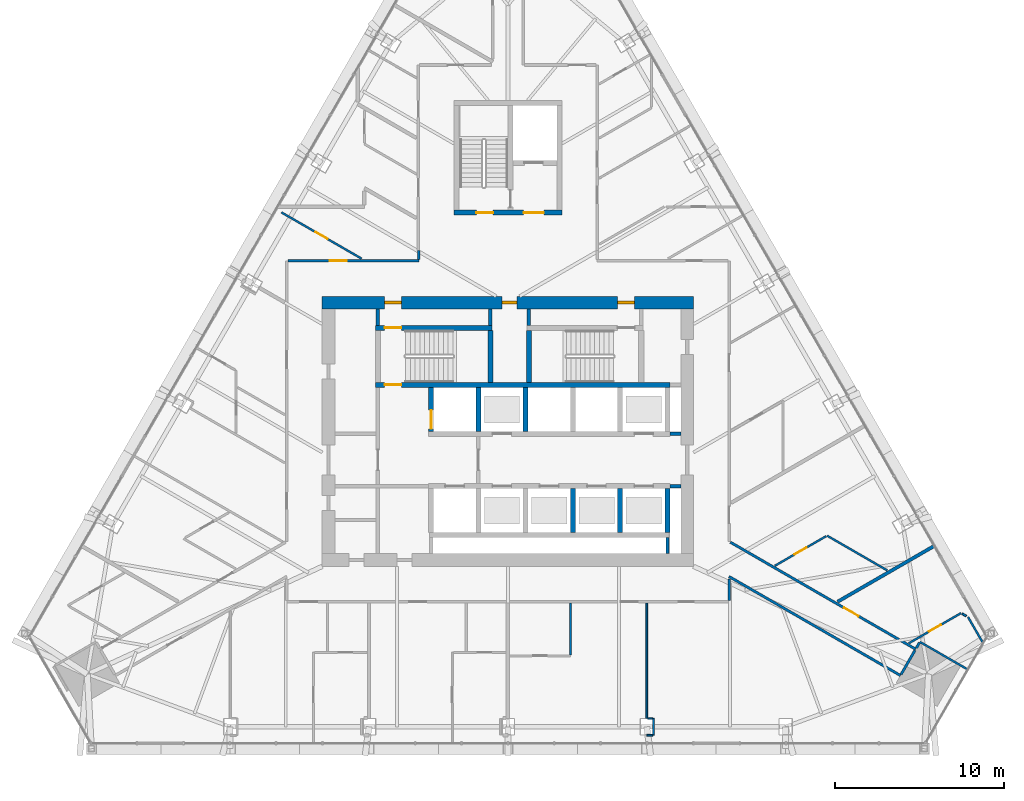
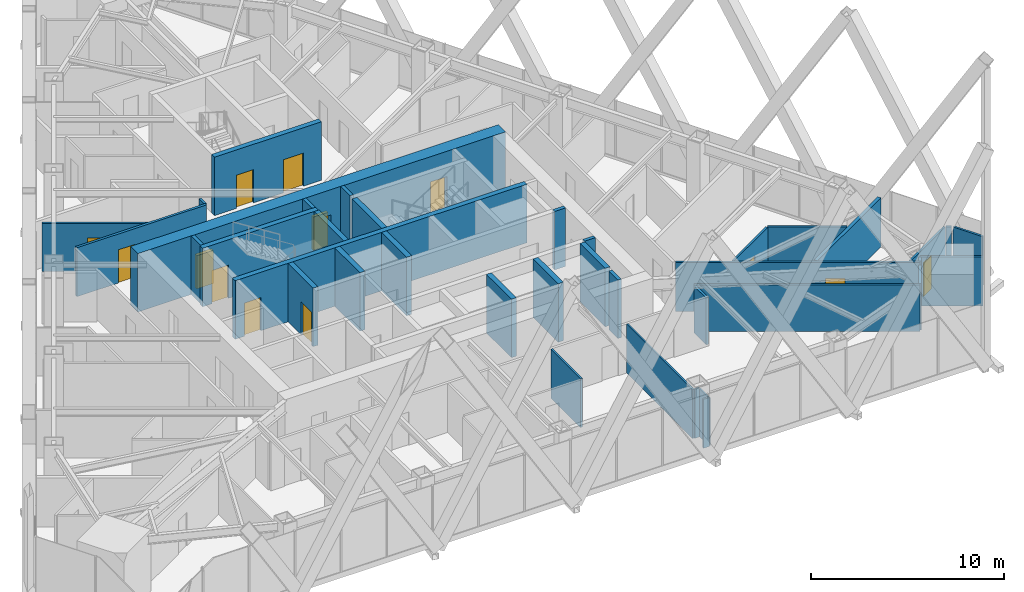
# One storey, part 15 of 19: 38 walls, 13 doors, 13 openings.
"""IFC4 building model written with IfcOpenShell, lengths in metres."""

import ifcopenshell
import ifcopenshell.guid

model = None  # the IFC model being written
_history = None  # IfcOwnerHistory: only IFC2X3 demands one
_inside = {}  # id of a spatial element -> (the spatial element, [elements in it])
_under = {}  # id of a project, library or spatial element -> (it, [spatial elements below it])
_declared = {}  # id of a project -> (the project, [libraries it declares])
_typed = {}  # id of a type object -> (the type object, [elements of that type])
_made_of = {}  # id of a material, layer set ... -> (it, [elements and type objects made of it])


def new_model(schema):
    """Start an empty IFC model of exactly this schema.

    Asked for "IFC4X3", IfcOpenShell would pick the latest addendum, in which some entities
    have other attributes; the version numbers below select the first issue.
    IFC2X3 requires an IfcOwnerHistory on every rooted entity: one is made here for all.
    """
    global model, _history
    if schema == "IFC4X3":
        model = ifcopenshell.file(schema_version=(4, 3, 0, 0))
    else:
        model = ifcopenshell.file(schema=schema)
    _inside.clear()
    _under.clear()
    _declared.clear()
    _typed.clear()
    _made_of.clear()
    _history = None
    if model.schema == "IFC2X3":
        org = make("IfcOrganization", Name="unknown")
        user = make(
            "IfcPersonAndOrganization",
            ThePerson=make("IfcPerson", FamilyName="unknown"),
            TheOrganization=org,
        )
        app = make(
            "IfcApplication",
            ApplicationDeveloper=org,
            Version="unknown",
            ApplicationFullName="unknown",
            ApplicationIdentifier="unknown",
        )
        _history = make(
            "IfcOwnerHistory",
            OwningUser=user,
            OwningApplication=app,
            ChangeAction="ADDED",
            CreationDate=0,
        )
    return model


def make(cls, **values):
    """One entity of the class cls with the attributes given. An attribute that is None is left unset."""
    return model.create_entity(
        cls, **{name: value for name, value in values.items() if value is not None}
    )


def rooted(cls, **values):
    """An entity with a GlobalId (a new one), such as an element, a storey or a relation."""
    return make(cls, GlobalId=ifcopenshell.guid.new(), OwnerHistory=_history, **values)


def si_unit(unit_type, name, prefix=None):
    """IfcSIUnit, for example si_unit("LENGTHUNIT", "METRE", prefix="MILLI")."""
    return make("IfcSIUnit", UnitType=unit_type, Prefix=prefix, Name=name)


def assignment(units):
    """IfcUnitAssignment: the units of a project."""
    return None if units is None else make("IfcUnitAssignment", Units=units)


def point(xyz):
    """IfcCartesianPoint."""
    return None if xyz is None else make("IfcCartesianPoint", Coordinates=xyz)


def direction(xyz):
    """IfcDirection."""
    return None if xyz is None else make("IfcDirection", DirectionRatios=xyz)


def frame(location, z_axis=None, x_axis=None):
    """IfcAxis2Placement3D, a coordinate frame: its origin and axes. An axis left out is left unset."""
    return make(
        "IfcAxis2Placement3D",
        Location=point(location),
        Axis=direction(z_axis),
        RefDirection=direction(x_axis),
    )


def frame_2d(location, x_axis=None):
    """IfcAxis2Placement2D, a coordinate frame in the plane: its origin and x axis."""
    return make(
        "IfcAxis2Placement2D", Location=point(location), RefDirection=direction(x_axis)
    )


def origin():
    """The frame at (0, 0, 0) with its axes left unset."""
    return frame((0.0, 0.0, 0.0))


def place(relative_to, where):
    """IfcLocalPlacement: puts the frame where relative to a parent placement (None: the world)."""
    return make(
        "IfcLocalPlacement", PlacementRelTo=relative_to, RelativePlacement=where
    )


def context(
    kind, dimensions, precision=None, world=None, true_north=None, identifier=None
):
    """IfcGeometricRepresentationContext, for example the 3D "Model" context."""
    return make(
        "IfcGeometricRepresentationContext",
        ContextIdentifier=identifier,
        ContextType=kind,
        CoordinateSpaceDimension=dimensions,
        Precision=precision,
        WorldCoordinateSystem=world,
        TrueNorth=true_north,
    )


def subcontext(parent, identifier, kind, view, scale=None):
    """IfcGeometricRepresentationSubContext, for example "Body" below "Model"."""
    return make(
        "IfcGeometricRepresentationSubContext",
        ContextIdentifier=identifier,
        ContextType=kind,
        ParentContext=parent,
        TargetScale=scale,
        TargetView=view,
    )


def project(units=None, contexts=None):
    """IfcProject with its units and contexts."""
    return rooted(
        "IfcProject",
        Name="project",
        RepresentationContexts=contexts,
        UnitsInContext=assignment(units),
    )


def spatial(cls, under=None, at=None, **own):
    """A site, building, storey or space (cls), placed at a placement, below another one or the project."""
    s = rooted(cls, ObjectPlacement=at, **own)
    if under is not None:
        _under.setdefault(under.id(), (under, []))[1].append(s)
    return s


def profile(cls, at=None, kind="AREA", **sizes):
    """A parametric profile (cls). Its sizes go by their IFC names, for example OverallWidth=200.0."""
    return make(cls, ProfileType=kind, Position=at, **sizes)


def rectangle(**sizes):
    """IfcRectangleProfileDef."""
    return profile("IfcRectangleProfileDef", **sizes)


def extrude(swept, where, along, depth):
    """IfcExtrudedAreaSolid: the profile swept, set in the frame where, extruded along a direction by depth."""
    return make(
        "IfcExtrudedAreaSolid",
        SweptArea=swept,
        Position=where,
        ExtrudedDirection=direction(along),
        Depth=depth,
    )


def shape(context_of_items, identifier, shape_type, items):
    """IfcShapeRepresentation: the items that make up one representation, for example the "Body"."""
    return make(
        "IfcShapeRepresentation",
        ContextOfItems=context_of_items,
        RepresentationIdentifier=identifier,
        RepresentationType=shape_type,
        Items=items,
    )


def material(Name=None, Category=None):
    """IfcMaterial."""
    return make("IfcMaterial", Name=Name, Category=Category)


def layer(
    of_material, thickness, ventilated=None, Name=None, Category=None, Priority=None
):
    """IfcMaterialLayer: one layer of a wall or slab, of a material (None: an air gap)."""
    return make(
        "IfcMaterialLayer",
        Material=of_material,
        LayerThickness=thickness,
        IsVentilated=ventilated,
        Name=Name,
        Category=Category,
        Priority=Priority,
    )


def layer_set(layers, Name=None):
    """IfcMaterialLayerSet."""
    return make("IfcMaterialLayerSet", MaterialLayers=layers, LayerSetName=Name)


def made_of(thing, what):
    """Note that an element or type object is made of a material, layer set ...; save() writes the relation."""
    if what is not None:
        _made_of.setdefault(what.id(), (what, []))[1].append(thing)
    return thing


def type_object(cls, material=None, **own):
    """A type object (cls), such as IfcWallType, which elements share."""
    return made_of(rooted(cls, **own), material)


def element(
    cls,
    number,
    at=None,
    inside=None,
    cuts=None,
    type_object=None,
    material=None,
    context=None,
    identifier="Body",
    shape_type=None,
    held_by="IfcProductDefinitionShape",
    body=None,
    shapes=None,
    **own,
):
    """One element of the class cls, such as IfcWall. Its Tag is "e" and its number.

    at: its placement. inside: the storey or other place that contains it. cuts: it is an
    opening in that element (IfcRelVoidsElement). A single representation is given by context,
    identifier, shape_type and body (its items); several are given by shapes. held_by: the class
    of the entity that holds the representations. save() writes the other relations.
    """
    e = rooted(cls, Tag="e%d" % number, ObjectPlacement=at, **own)
    if body is not None:
        shapes = [shape(context, identifier, shape_type, body)]
    if shapes is not None:
        e.Representation = make(held_by, Representations=shapes)
    if inside is not None:
        _inside.setdefault(inside.id(), (inside, []))[1].append(e)
    if cuts is not None:
        rooted(
            "IfcRelVoidsElement", RelatingBuildingElement=cuts, RelatedOpeningElement=e
        )
    if type_object is not None:
        _typed.setdefault(type_object.id(), (type_object, []))[1].append(e)
    return made_of(e, material)


def fill(opening, filler):
    """IfcRelFillsElement: the door or window that sits in an opening."""
    return rooted(
        "IfcRelFillsElement",
        RelatingOpeningElement=opening,
        RelatedBuildingElement=filler,
    )


def aggregate(whole, parts):
    """IfcRelAggregates: a whole, such as a stair, and the parts it consists of."""
    return rooted("IfcRelAggregates", RelatingObject=whole, RelatedObjects=parts)


def save(model, path):
    """Write the relations noted so far, then the file.

    IfcRelAggregates (storeys below a building ...), IfcRelContainedInSpatialStructure (elements
    in a storey), IfcRelDefinesByType, IfcRelAssociatesMaterial and IfcRelDeclares: one each for
    every whole, place, type object, material and project.
    """
    for whole, parts in _under.values():
        aggregate(whole, parts)
    for where, things in _inside.values():
        rooted(
            "IfcRelContainedInSpatialStructure",
            RelatedElements=things,
            RelatingStructure=where,
        )
    for kind, things in _typed.values():
        rooted("IfcRelDefinesByType", RelatedObjects=things, RelatingType=kind)
    for what, things in _made_of.values():
        rooted("IfcRelAssociatesMaterial", RelatedObjects=things, RelatingMaterial=what)
    for by, libraries in _declared.values():
        rooted("IfcRelDeclares", RelatingContext=by, RelatedDefinitions=libraries)
    model.write(path)


model = new_model("IFC4")

# Units and contexts
model_context = context("Model", 3, precision=1e-05, world=origin(), true_north=direction((0.0, 1.0)))
body_context = subcontext(model_context, "Body", "Model", "MODEL_VIEW")
ifc_project = project(units=[si_unit("LENGTHUNIT", "METRE"), si_unit("AREAUNIT", "SQUARE_METRE"), si_unit("VOLUMEUNIT", "CUBIC_METRE"), si_unit("PLANEANGLEUNIT", "RADIAN"), si_unit("MASSUNIT", "GRAM", prefix="KILO")], contexts=[model_context])

# Site, building, storey
site_placement = place(None, origin())
site = spatial("IfcSite", under=ifc_project, at=site_placement, CompositionType="ELEMENT")
building_placement = place(site_placement, origin())
building = spatial("IfcBuilding", under=site, at=building_placement, Name="Firuza Gate Tower and Library", CompositionType="ELEMENT")
storey_placement = place(building_placement, frame((0.0, 0.0, 233.800048828125)))
storey = spatial("IfcBuildingStorey", under=building, at=storey_placement, Name="L55", CompositionType="ELEMENT", Elevation=233.800048828125)

# Walls
ifc_material_1 = material(Name="Plasterboard on steel studs", Category="steel")
ifc_layer_1 = layer(ifc_material_1, 0.199951171875)
ifc_layer_set_1 = layer_set([ifc_layer_1], Name="Core partition 200 EI 120")
wall_type_1 = type_object("IfcWallType", Name="Core partition 200 EI 120", PredefinedType="PARTITIONING", material=ifc_layer_set_1)
for number, where, z_axis, x_axis, name in (
    (1, (84.60009765625, 71.75, 0.0), (0.0, 0.0, 1.0), (1.0, 0.0, 0.0), "Core partition L55 3"),
    (2, (84.60009765625, 74.85009765625, 0.0), (0.0, 0.0, 1.0), (1.0, 0.0, 0.0), "Core partition L55 5"),
):
    element("IfcWall", number, at=place(storey_placement, frame(where, z_axis=z_axis, x_axis=x_axis)), inside=storey, type_object=wall_type_1, Name=name, PredefinedType="PARTITIONING", context=body_context, shape_type="SweptSolid", body=[
        extrude(rectangle(XDim=0.64990234375, YDim=0.199951171875, at=frame_2d((0.324951171875, 0.0))), origin(), (0.0, 0.0, 1.0), 3.699951171875),
    ])
wall_1_placement = place(storey_placement, frame((67.300048828125, 81.280029296875, 0.0), z_axis=(0.0, 0.0, 1.0), x_axis=(0.0, 1.0, 0.0)))
element("IfcWall", 3, at=wall_1_placement, inside=storey, type_object=wall_type_1, Name="Core partition L55 9", PredefinedType="PARTITIONING", context=body_context, shape_type="SweptSolid", body=[
    extrude(rectangle(XDim=0.969970703125, YDim=0.199951171875, at=frame_2d((0.48486328125, 0.0))), origin(), (0.0, 0.0, 1.0), 3.699951171875),
])
wall_2_placement = place(storey_placement, frame((84.449951171875, 67.75, 0.0), z_axis=(0.0, 0.0, 1.0), x_axis=(0.0, 1.0, 0.0)))
element("IfcWall", 4, at=wall_2_placement, inside=storey, type_object=wall_type_1, Name="Core partition L55 15", PredefinedType="PARTITIONING", context=body_context, shape_type="SweptSolid", body=[
    extrude(rectangle(XDim=0.949951171875, YDim=0.199951171875, at=frame_2d((0.47509765625, 0.0))), origin(), (0.0, 0.0, 1.0), 3.699951171875),
])
ifc_material_2 = material(Name="Plasterboard on steel studs", Category="steel")
ifc_layer_2 = layer(ifc_material_2, 0.199951171875)
ifc_layer_set_2 = layer_set([ifc_layer_2], Name="Core partition 200 EI 60")
wall_type_2 = type_object("IfcWallType", Name="Core partition 200 EI 60", PredefinedType="PARTITIONING", material=ifc_layer_set_2)
for number, where, z_axis, x_axis, name in (
    (5, (73.9599609375, 81.280029296875, 0.0), (0.0, 0.0, 1.0), (0.0, 1.0, 0.0), "Core partition L55 12"),
    (6, (76.239990234375, 81.280029296875, 0.0), (0.0, 0.0, 1.0), (0.0, 1.0, 0.0), "Core partition L55 13"),
):
    element("IfcWall", number, at=place(storey_placement, frame(where, z_axis=z_axis, x_axis=x_axis)), inside=storey, type_object=wall_type_2, Name=name, PredefinedType="PARTITIONING", context=body_context, shape_type="SweptSolid", body=[
        extrude(rectangle(XDim=0.969970703125, YDim=0.199951171875, at=frame_2d((0.48486328125, 0.0))), origin(), (0.0, 0.0, 1.0), 3.699951171875),
    ])

# Wall, opening, door
ifc_material_3 = material(Name="Concrete C80/95", Category="concrete")
ifc_layer_3 = layer(ifc_material_3, 0.300048828125)
ifc_layer_set_3 = layer_set([ifc_layer_3], Name="Core wall 300 C80/95")
wall_type_3 = type_object("IfcWallType", Name="Core wall 300 C80/95", PredefinedType="SHEAR", material=ifc_layer_set_3)
wall_3_placement = place(storey_placement, frame((70.449951171875, 75.0, 0.0), z_axis=(0.0, 0.0, 1.0), x_axis=(0.0, 1.0, 0.0)))
wall_3 = element("IfcWall", 7, at=wall_3_placement, inside=storey, type_object=wall_type_3, Name="Core wall L55 9", PredefinedType="SHEAR", context=body_context, shape_type="SweptSolid", body=[
    extrude(rectangle(XDim=2.60009765625, YDim=0.300048828125, at=frame_2d((1.300048828125, 0.0))), origin(), (0.0, 0.0, 1.0), 3.699951171875),
])
opening_1_placement = place(wall_3_placement, frame((0.14990234375, 0.0, 0.0)))
opening_1 = element("IfcOpeningElement", 8, at=opening_1_placement, cuts=wall_3, Name="Opening LD-FF2-L55", PredefinedType="OPENING", context=body_context, shape_type="SweptSolid", body=[
    extrude(rectangle(XDim=1.10009765625, YDim=2.10009765625, at=frame_2d((0.550048828125, 1.050048828125))), frame((0.0, 0.16015625, 0.0), z_axis=(0.0, -1.0, 0.0), x_axis=(1.0, 0.0, 0.0)), (0.0, 0.0, 1.0), 0.320068359375),
])
ifc_material_4 = material(Name="Stainless steel", Category="steel")
door_type_1 = type_object("IfcDoorType", Name="Lift landing door 1100x2100", OperationType="DOUBLE_DOOR_SLIDING", PredefinedType="DOOR", material=ifc_material_4)
door_1_placement = place(opening_1_placement, origin())
door_1 = element("IfcDoor", 9, at=door_1_placement, inside=storey, type_object=door_type_1, Name="Landing door FF2 L55", OperationType="DOUBLE_DOOR_SLIDING", OverallHeight=2.10009765625, OverallWidth=1.10009765625, PredefinedType="DOOR", context=body_context, shape_type="SweptSolid", body=[
    extrude(rectangle(XDim=1.10009765625, YDim=2.10009765625, at=frame_2d((0.550048828125, 1.050048828125))), frame((0.0, 0.02490234375, 0.0), z_axis=(0.0, -1.0, 0.0), x_axis=(1.0, 0.0, 0.0)), (0.0, 0.0, 1.0), 0.050048828125),
])
fill(opening_1, door_1)

# Walls
for number, where, z_axis, x_axis, name in (
    (10, (73.25, 75.0, 0.0), (0.0, 0.0, 1.0), (0.0, 1.0, 0.0), "Core wall L55 11"),
    (11, (76.050048828125, 75.0, 0.0), (0.0, 0.0, 1.0), (0.0, 1.0, 0.0), "Core wall L55 13"),
    (12, (78.85009765625, 69.0, 0.0), (0.0, 0.0, 1.0), (0.0, 1.0, 0.0), "Core wall L55 14"),
    (13, (81.64990234375, 69.0, 0.0), (0.0, 0.0, 1.0), (0.0, 1.0, 0.0), "Core wall L55 16"),
    (14, (84.449951171875, 69.0, 0.0), (0.0, 0.0, 1.0), (0.0, 1.0, 0.0), "Core wall L55 18"),
):
    element("IfcWall", number, at=place(storey_placement, frame(where, z_axis=z_axis, x_axis=x_axis)), inside=storey, type_object=wall_type_3, Name=name, PredefinedType="SHEAR", context=body_context, shape_type="SweptSolid", body=[
        extrude(rectangle(XDim=2.60009765625, YDim=0.300048828125, at=frame_2d((1.300048828125, 0.0))), origin(), (0.0, 0.0, 1.0), 3.699951171875),
    ])

# Wall, opening, door
wall_4_placement = place(storey_placement, frame((67.14990234375, 77.75, 0.0), z_axis=(0.0, 0.0, 1.0), x_axis=(1.0, 0.0, 0.0)))
wall_4 = element("IfcWall", 15, at=wall_4_placement, inside=storey, type_object=wall_type_3, Name="Core wall L55 20", PredefinedType="SHEAR", context=body_context, shape_type="SweptSolid", body=[
    extrude(rectangle(XDim=17.4501953125, YDim=0.300048828125, at=frame_2d((8.72509765625, 0.0))), origin(), (0.0, 0.0, 1.0), 3.699951171875),
])
opening_2_placement = place(wall_4_placement, frame((0.544921875, 0.0, 0.0)))
opening_2 = element("IfcOpeningElement", 16, at=opening_2_placement, cuts=wall_4, Name="Opening L55-K10", PredefinedType="OPENING", context=body_context, shape_type="SweptSolid", body=[
    extrude(rectangle(XDim=1.0, YDim=2.10009765625, at=frame_2d((0.5, 1.050048828125))), frame((0.0, 0.16015625, 0.0), z_axis=(0.0, -1.0, 0.0), x_axis=(1.0, 0.0, 0.0)), (0.0, 0.0, 1.0), 0.320068359375),
])
ifc_material_5 = material(Name="Steel", Category="steel")
door_type_2 = type_object("IfcDoorType", Name="Fire door 1000x2100 FD90", OperationType="NOTDEFINED", PredefinedType="DOOR", material=ifc_material_5)
door_2_placement = place(opening_2_placement, origin())
door_2 = element("IfcDoor", 17, at=door_2_placement, inside=storey, type_object=door_type_2, Name="Door L55-K10", OperationType="SINGLE_SWING_LEFT", OverallHeight=2.10009765625, OverallWidth=1.0, PredefinedType="DOOR", context=body_context, shape_type="SweptSolid", body=[
    extrude(rectangle(XDim=1.0, YDim=2.10009765625, at=frame_2d((0.5, 1.050048828125))), frame((0.0, 0.02490234375, 0.0), z_axis=(0.0, -1.0, 0.0), x_axis=(1.0, 0.0, 0.0)), (0.0, 0.0, 1.0), 0.050048828125),
])
fill(opening_2, door_2)

wall_5_placement = place(storey_placement, frame((67.14990234375, 81.1298828125, 0.0), z_axis=(0.0, 0.0, 1.0), x_axis=(1.0, 0.0, 0.0)))
wall_5 = element("IfcWall", 18, at=wall_5_placement, inside=storey, type_object=wall_type_3, Name="Core wall L55 21", PredefinedType="SHEAR", context=body_context, shape_type="SweptSolid", body=[
    extrude(rectangle(XDim=6.91015625, YDim=0.300048828125, at=frame_2d((3.455078125, 0.0))), origin(), (0.0, 0.0, 1.0), 3.699951171875),
])
opening_3_placement = place(wall_5_placement, frame((0.544921875, 0.0, 0.0)))
opening_3 = element("IfcOpeningElement", 19, at=opening_3_placement, cuts=wall_5, Name="Opening L55-K11", PredefinedType="OPENING", context=body_context, shape_type="SweptSolid", body=[
    extrude(rectangle(XDim=1.0, YDim=2.10009765625, at=frame_2d((0.5, 1.050048828125))), frame((0.0, 0.16015625, 0.0), z_axis=(0.0, -1.0, 0.0), x_axis=(1.0, 0.0, 0.0)), (0.0, 0.0, 1.0), 0.320068359375),
])
door_3_placement = place(opening_3_placement, origin())
door_3 = element("IfcDoor", 20, at=door_3_placement, inside=storey, type_object=door_type_2, Name="Door L55-K11", OperationType="SINGLE_SWING_RIGHT", OverallHeight=2.10009765625, OverallWidth=1.0, PredefinedType="DOOR", context=body_context, shape_type="SweptSolid", body=[
    extrude(rectangle(XDim=1.0, YDim=2.10009765625, at=frame_2d((0.5, 1.050048828125))), frame((0.0, 0.02490234375, 0.0), z_axis=(0.0, -1.0, 0.0), x_axis=(1.0, 0.0, 0.0)), (0.0, 0.0, 1.0), 0.050048828125),
])
fill(opening_3, door_3)

# Walls
for number, where, z_axis, x_axis, name in (
    (21, (73.9599609375, 77.89990234375, 0.0), (0.0, 0.0, 1.0), (0.0, 1.0, 0.0), "Core wall L55 24"),
    (22, (76.239990234375, 77.89990234375, 0.0), (0.0, 0.0, 1.0), (0.0, 1.0, 0.0), "Core wall L55 25"),
):
    element("IfcWall", number, at=place(storey_placement, frame(where, z_axis=z_axis, x_axis=x_axis)), inside=storey, type_object=wall_type_3, Name=name, PredefinedType="SHEAR", context=body_context, shape_type="SweptSolid", body=[
        extrude(rectangle(XDim=3.080078125, YDim=0.300048828125, at=frame_2d((1.5400390625, 0.0))), origin(), (0.0, 0.0, 1.0), 3.699951171875),
    ])

# Wall, openings, doors
wall_6_placement = place(storey_placement, frame((71.800048828125, 87.949951171875, 0.0), z_axis=(0.0, 0.0, 1.0), x_axis=(1.0, 0.0, 0.0)))
wall_6 = element("IfcWall", 23, at=wall_6_placement, inside=storey, type_object=wall_type_3, Name="Core wall L55 27", PredefinedType="SHEAR", context=body_context, shape_type="SweptSolid", body=[
    extrude(rectangle(XDim=6.39990234375, YDim=0.300048828125, at=frame_2d((3.199951171875, 0.0))), origin(), (0.0, 0.0, 1.0), 3.699951171875),
])
opening_4_placement = place(wall_6_placement, frame((1.324951171875, 0.0, 0.0)))
opening_4 = element("IfcOpeningElement", 24, at=opening_4_placement, cuts=wall_6, Name="Opening L55-K15", PredefinedType="OPENING", context=body_context, shape_type="SweptSolid", body=[
    extrude(rectangle(XDim=1.0, YDim=2.10009765625, at=frame_2d((0.5, 1.050048828125))), frame((0.0, 0.16015625, 0.0), z_axis=(0.0, -1.0, 0.0), x_axis=(1.0, 0.0, 0.0)), (0.0, 0.0, 1.0), 0.320068359375),
])
opening_5_placement = place(wall_6_placement, frame((4.125, 0.0, 0.0)))
opening_5 = element("IfcOpeningElement", 25, at=opening_5_placement, cuts=wall_6, Name="Opening L55-K17", PredefinedType="OPENING", context=body_context, shape_type="SweptSolid", body=[
    extrude(rectangle(XDim=1.199951171875, YDim=2.10009765625, at=frame_2d((0.60009765625, 1.050048828125))), frame((0.0, 0.16015625, 0.0), z_axis=(0.0, -1.0, 0.0), x_axis=(1.0, 0.0, 0.0)), (0.0, 0.0, 1.0), 0.320068359375),
])
door_4_placement = place(opening_4_placement, origin())
door_4 = element("IfcDoor", 26, at=door_4_placement, inside=storey, type_object=door_type_2, Name="Door L55-K15", OperationType="SINGLE_SWING_RIGHT", OverallHeight=2.10009765625, OverallWidth=1.0, PredefinedType="DOOR", context=body_context, shape_type="SweptSolid", body=[
    extrude(rectangle(XDim=1.0, YDim=2.10009765625, at=frame_2d((0.5, 1.050048828125))), frame((0.0, 0.02490234375, 0.0), z_axis=(0.0, -1.0, 0.0), x_axis=(1.0, 0.0, 0.0)), (0.0, 0.0, 1.0), 0.050048828125),
])
fill(opening_4, door_4)
ifc_material_6 = material(Name="Steel", Category="steel")
door_type_3 = type_object("IfcDoorType", Name="Fire door 1200x2100 FD30S", OperationType="NOTDEFINED", PredefinedType="DOOR", material=ifc_material_6)
door_5_placement = place(opening_5_placement, origin())
door_5 = element("IfcDoor", 27, at=door_5_placement, inside=storey, type_object=door_type_3, Name="Door L55-K17", OperationType="SINGLE_SWING_RIGHT", OverallHeight=2.10009765625, OverallWidth=1.199951171875, PredefinedType="DOOR", context=body_context, shape_type="SweptSolid", body=[
    extrude(rectangle(XDim=1.199951171875, YDim=2.10009765625, at=frame_2d((0.60009765625, 1.050048828125))), frame((0.0, 0.02490234375, 0.0), z_axis=(0.0, -1.0, 0.0), x_axis=(1.0, 0.0, 0.0)), (0.0, 0.0, 1.0), 0.050048828125),
])
fill(opening_5, door_5)

ifc_material_7 = material(Name="Concrete C80/95", Category="concrete")
ifc_layer_4 = layer(ifc_material_7, 0.75)
ifc_layer_set_4 = layer_set([ifc_layer_4], Name="Core wall 750 C80/95")
wall_type_4 = type_object("IfcWallType", Name="Core wall 750 C80/95", PredefinedType="SHEAR", material=ifc_layer_set_4)
wall_7_placement = place(storey_placement, frame((64.0, 82.625, 0.0), z_axis=(0.0, 0.0, 1.0), x_axis=(1.0, 0.0, 0.0)))
wall_7 = element("IfcWall", 28, at=wall_7_placement, inside=storey, type_object=wall_type_4, Name="Core wall L55 2", PredefinedType="SHEAR", context=body_context, shape_type="SweptSolid", body=[
    extrude(rectangle(XDim=22.0, YDim=0.75, at=frame_2d((11.0, 0.0))), origin(), (0.0, 0.0, 1.0), 3.699951171875),
])
opening_6_placement = place(wall_7_placement, frame((3.695068359375, 0.0, 0.0)))
opening_6 = element("IfcOpeningElement", 29, at=opening_6_placement, cuts=wall_7, Name="Opening L55-K12", PredefinedType="OPENING", context=body_context, shape_type="SweptSolid", body=[
    extrude(rectangle(XDim=1.0, YDim=2.10009765625, at=frame_2d((0.5, 1.050048828125))), frame((0.0, 0.385009765625, 0.0), z_axis=(0.0, -1.0, 0.0), x_axis=(1.0, 0.0, 0.0)), (0.0, 0.0, 1.0), 0.77001953125),
])
opening_7_placement = place(wall_7_placement, frame((17.5048828125, 0.0, 0.0)))
opening_7 = element("IfcOpeningElement", 30, at=opening_7_placement, cuts=wall_7, Name="Opening L55-K14", PredefinedType="OPENING", context=body_context, shape_type="SweptSolid", body=[
    extrude(rectangle(XDim=1.0, YDim=2.10009765625, at=frame_2d((0.5, 1.050048828125))), frame((0.0, 0.385009765625, 0.0), z_axis=(0.0, -1.0, 0.0), x_axis=(1.0, 0.0, 0.0)), (0.0, 0.0, 1.0), 0.77001953125),
])
opening_8_placement = place(wall_7_placement, frame((10.64990234375, 0.0, 0.0)))
opening_8 = element("IfcOpeningElement", 31, at=opening_8_placement, cuts=wall_7, Name="Opening L55-K26", PredefinedType="OPENING", context=body_context, shape_type="SweptSolid", body=[
    extrude(rectangle(XDim=0.89990234375, YDim=2.10009765625, at=frame_2d((0.449951171875, 1.050048828125))), frame((0.0, 0.385009765625, 0.0), z_axis=(0.0, -1.0, 0.0), x_axis=(1.0, 0.0, 0.0)), (0.0, 0.0, 1.0), 0.77001953125),
])
door_6_placement = place(opening_6_placement, origin())
door_6 = element("IfcDoor", 32, at=door_6_placement, inside=storey, type_object=door_type_2, Name="Door L55-K12", OperationType="SINGLE_SWING_LEFT", OverallHeight=2.10009765625, OverallWidth=1.0, PredefinedType="DOOR", context=body_context, shape_type="SweptSolid", body=[
    extrude(rectangle(XDim=1.0, YDim=2.10009765625, at=frame_2d((0.5, 1.050048828125))), frame((0.0, 0.094970703125, 0.0), z_axis=(0.0, -1.0, 0.0), x_axis=(1.0, 0.0, 0.0)), (0.0, 0.0, 1.0), 0.18994140625),
])
fill(opening_6, door_6)
door_7_placement = place(opening_7_placement, origin())
door_7 = element("IfcDoor", 33, at=door_7_placement, inside=storey, type_object=door_type_2, Name="Door L55-K14", OperationType="SINGLE_SWING_LEFT", OverallHeight=2.10009765625, OverallWidth=1.0, PredefinedType="DOOR", context=body_context, shape_type="SweptSolid", body=[
    extrude(rectangle(XDim=1.0, YDim=2.10009765625, at=frame_2d((0.5, 1.050048828125))), frame((0.0, 0.094970703125, 0.0), z_axis=(0.0, -1.0, 0.0), x_axis=(1.0, 0.0, 0.0)), (0.0, 0.0, 1.0), 0.18994140625),
])
fill(opening_7, door_7)
ifc_material_8 = material(Name="Steel", Category="steel")
door_type_4 = type_object("IfcDoorType", Name="Fire door 900x2100 FD30S", OperationType="NOTDEFINED", PredefinedType="DOOR", material=ifc_material_8)
door_8_placement = place(opening_8_placement, origin())
door_8 = element("IfcDoor", 34, at=door_8_placement, inside=storey, type_object=door_type_4, Name="Door L55-K26", OperationType="SINGLE_SWING_LEFT", OverallHeight=2.10009765625, OverallWidth=0.89990234375, PredefinedType="DOOR", context=body_context, shape_type="SweptSolid", body=[
    extrude(rectangle(XDim=0.89990234375, YDim=2.10009765625, at=frame_2d((0.449951171875, 1.050048828125))), frame((0.0, 0.094970703125, 0.0), z_axis=(0.0, -1.0, 0.0), x_axis=(1.0, 0.0, 0.0)), (0.0, 0.0, 1.0), 0.18994140625),
])
fill(opening_8, door_8)

# Wall, opening, door
ifc_material_9 = material(Name="Gypsum board partition")
ifc_layer_5 = layer(ifc_material_9, 0.14990234375)
ifc_layer_set_5 = layer_set([ifc_layer_5], Name="Corridor wall 150 double board on steel studs")
wall_type_5 = type_object("IfcWallType", Name="Corridor wall 150 double board on steel studs", PredefinedType="PARTITIONING", material=ifc_layer_set_5)
wall_8_placement = place(storey_placement, frame((61.9755859375, 85.10009765625, 0.0), z_axis=(0.0, 0.0, 1.0), x_axis=(1.0, 0.0, 0.0)))
wall_8 = element("IfcWall", 35, at=wall_8_placement, inside=storey, type_object=wall_type_5, Name="f:L55:w012", PredefinedType="PARTITIONING", context=body_context, shape_type="SweptSolid", body=[
    extrude(rectangle(XDim=7.743896484375, YDim=0.14990234375, at=frame_2d((3.8720703125, 0.0))), origin(), (0.0, 0.0, 1.0), 3.099853515625),
])
opening_9_placement = place(wall_8_placement, frame((2.474609375, 0.0, 0.0)))
opening_9 = element("IfcOpeningElement", 36, at=opening_9_placement, cuts=wall_8, Name="Opening L55-08", PredefinedType="OPENING", context=body_context, shape_type="SweptSolid", body=[
    extrude(rectangle(XDim=1.0, YDim=2.10009765625, at=frame_2d((0.5, 1.050048828125))), frame((0.0, 0.0849609375, 0.0), z_axis=(0.0, -1.0, 0.0), x_axis=(1.0, 0.0, 0.0)), (0.0, 0.0, 1.0), 0.169921875),
])
ifc_material_10 = material(Name="Steel door and timber leaf", Category="steel")
door_type_5 = type_object("IfcDoorType", Name="Fire door 1000 x 2100 steel frame, timber leaf", OperationType="NOTDEFINED", PredefinedType="DOOR", material=ifc_material_10)
door_9_placement = place(opening_9_placement, origin())
door_9 = element("IfcDoor", 37, at=door_9_placement, inside=storey, type_object=door_type_5, Name="f:L55:d008", OperationType="SINGLE_SWING_LEFT", OverallHeight=2.10009765625, OverallWidth=1.0, PredefinedType="DOOR", context=body_context, shape_type="SweptSolid", body=[
    extrude(rectangle(XDim=1.0, YDim=2.10009765625, at=frame_2d((0.5, 1.050048828125))), frame((0.0, 0.02490234375, 0.0), z_axis=(0.0, -1.0, 0.0), x_axis=(1.0, 0.0, 0.0)), (0.0, 0.0, 1.0), 0.050048828125),
])
fill(opening_9, door_9)

# Walls
wall_9_placement = place(storey_placement, frame((98.292724609375, 60.599853515625, 0.0), z_axis=(0.0, 0.0, 1.0), x_axis=(0.499927431592, 0.866067297121, 0.0)))
element("IfcWall", 38, at=wall_9_placement, inside=storey, type_object=wall_type_5, Name="f:L55:w035", PredefinedType="PARTITIONING", context=body_context, shape_type="SweptSolid", body=[
    extrude(rectangle(XDim=1.649658203125, YDim=0.14990234375, at=frame_2d((0.82470703125, 0.0))), origin(), (0.0, 0.0, 1.0), 2.947021484375),
])
wall_10_placement = place(storey_placement, frame((88.10009765625, 64.9755859375, 0.0), z_axis=(0.0, 0.0, 1.0), x_axis=(0.0, 1.0, 0.0)))
element("IfcWall", 39, at=wall_10_placement, inside=storey, type_object=wall_type_5, Name="f:L55:w040", PredefinedType="PARTITIONING", context=body_context, shape_type="SweptSolid", body=[
    extrude(rectangle(XDim=1.28515625, YDim=0.14990234375, at=frame_2d((0.642578125, 0.0))), origin(), (0.0, 0.0, 1.0), 2.947021484375),
])
wall_11_placement = place(storey_placement, frame((69.718994140625, 85.175048828125, 0.0), z_axis=(0.0, 0.0, 1.0), x_axis=(0.0, 1.0, 0.0)))
element("IfcWall", 40, at=wall_11_placement, inside=storey, type_object=wall_type_5, Name="f:L55:w056", PredefinedType="PARTITIONING", context=body_context, shape_type="SweptSolid", body=[
    extrude(rectangle(XDim=0.52490234375, YDim=0.14990234375, at=frame_2d((0.262451171875, 0.0))), origin(), (0.0, 0.0, 1.0), 3.099853515625),
])

# Wall, opening, door
wall_12_placement = place(storey_placement, frame((88.175048828125, 68.4326171875, 0.0), z_axis=(0.0, 0.0, 1.0), x_axis=(0.866028141608, -0.499995257921, 0.0)))
wall_12 = element("IfcWall", 41, at=wall_12_placement, inside=storey, type_object=wall_type_5, Name="f:L55:w083", PredefinedType="PARTITIONING", context=body_context, shape_type="SweptSolid", body=[
    extrude(rectangle(XDim=12.6787109375, YDim=0.14990234375, at=frame_2d((6.33935546875, 0.0))), origin(), (0.0, 0.0, 1.0), 3.099853515625),
])
opening_10_placement = place(wall_12_placement, frame((7.779052734375, 0.0, 0.0)))
opening_10 = element("IfcOpeningElement", 42, at=opening_10_placement, cuts=wall_12, Name="Opening L55-37", PredefinedType="OPENING", context=body_context, shape_type="SweptSolid", body=[
    extrude(rectangle(XDim=1.0, YDim=2.10009765625, at=frame_2d((0.5, 1.050048828125))), frame((0.0, 0.0849609375, 0.0), z_axis=(0.0, -1.0, 0.0), x_axis=(1.0, 0.0, 0.0)), (0.0, 0.0, 1.0), 0.169921875),
])
door_10_placement = place(opening_10_placement, origin())
door_10 = element("IfcDoor", 43, at=door_10_placement, inside=storey, type_object=door_type_5, Name="f:L55:d037", OperationType="SINGLE_SWING_RIGHT", OverallHeight=2.10009765625, OverallWidth=1.0, PredefinedType="DOOR", context=body_context, shape_type="SweptSolid", body=[
    extrude(rectangle(XDim=1.0, YDim=2.10009765625, at=frame_2d((0.5, 1.050048828125))), frame((0.0, 0.02490234375, 0.0), z_axis=(0.0, -1.0, 0.0), x_axis=(1.0, 0.0, 0.0)), (0.0, 0.0, 1.0), 0.050048828125),
])
fill(opening_10, door_10)

# Walls
wall_13_placement = place(storey_placement, frame((98.2548828125, 60.53466796875, 0.0), z_axis=(0.0, 0.0, 1.0), x_axis=(-0.866028172479, 0.49999520445, 0.0)))
element("IfcWall", 44, at=wall_13_placement, inside=storey, type_object=wall_type_5, Name="f:L55:w086", PredefinedType="PARTITIONING", context=body_context, shape_type="SweptSolid", body=[
    extrude(rectangle(XDim=11.7255859375, YDim=0.14990234375, at=frame_2d((5.86279296875, 0.0))), origin(), (0.0, 0.0, 1.0), 2.947021484375),
])
wall_14_placement = place(storey_placement, frame((99.1923828125, 62.158447265625, 0.0), z_axis=(0.0, 0.0, 1.0), x_axis=(0.500534336868, 0.865716684381, 0.0)))
element("IfcWall", 45, at=wall_14_placement, inside=storey, type_object=wall_type_5, Name="f:L55:w097", PredefinedType="PARTITIONING", context=body_context, shape_type="SweptSolid", body=[
    extrude(rectangle(XDim=0.3642578125, YDim=0.14990234375, at=frame_2d((0.18212890625, 0.0))), origin(), (0.0, 0.0, 1.0), 3.099853515625),
])
ifc_material_11 = material(Name="Gypsum board partition")
ifc_layer_6 = layer(ifc_material_11, 0.199951171875)
ifc_layer_set_6 = layer_set([ifc_layer_6], Name="Demising wall 200 acoustic double stud")
wall_type_6 = type_object("IfcWallType", Name="Demising wall 200 acoustic double stud", PredefinedType="PARTITIONING", material=ifc_layer_set_6)
wall_15_placement = place(storey_placement, frame((94.53466796875, 64.9072265625, 0.0), z_axis=(0.0, 0.0, 1.0), x_axis=(0.866024015056, 0.50000240534, 0.0)))
element("IfcWall", 46, at=wall_15_placement, inside=storey, type_object=wall_type_6, Name="f:L55:w020", PredefinedType="PARTITIONING", context=body_context, shape_type="SweptSolid", body=[
    extrude(rectangle(XDim=6.5927734375, YDim=0.199951171875, at=frame_2d((3.29638671875, 0.0))), origin(), (0.0, 0.0, 1.0), 3.099853515625),
])
ifc_material_12 = material(Name="Gypsum board partition")
ifc_layer_7 = layer(ifc_material_12, 0.10009765625)
ifc_layer_set_7 = layer_set([ifc_layer_7], Name="Partition 100 gypsum board on steel studs")
wall_type_7 = type_object("IfcWallType", Name="Partition 100 gypsum board on steel studs", PredefinedType="PARTITIONING", material=ifc_layer_set_7)
wall_16_placement = place(storey_placement, frame((83.2255859375, 56.99609375, 0.0), z_axis=(0.0, 0.0, 1.0), x_axis=(1.0, 0.0, 0.0)))
element("IfcWall", 47, at=wall_16_placement, inside=storey, type_object=wall_type_7, Name="f:L55:w003", PredefinedType="PARTITIONING", context=body_context, shape_type="SweptSolid", body=[
    extrude(rectangle(XDim=0.349365234375, YDim=0.10009765625, at=frame_2d((0.1748046875, 0.0))), origin(), (0.0, 0.0, 1.0), 3.099853515625),
])
wall_17_placement = place(storey_placement, frame((83.28564453125, 57.99609375, 0.0), z_axis=(0.0, 0.0, 1.0), x_axis=(1.0, 0.0, 0.0)))
element("IfcWall", 48, at=wall_17_placement, inside=storey, type_object=wall_type_7, Name="f:L55:w007", PredefinedType="PARTITIONING", context=body_context, shape_type="SweptSolid", body=[
    extrude(rectangle(XDim=0.289306640625, YDim=0.10009765625, at=frame_2d((0.14453125, 0.0))), origin(), (0.0, 0.0, 1.0), 3.099853515625),
])
wall_18_placement = place(storey_placement, frame((83.6259765625, 56.99658203125, 0.0), z_axis=(0.0, 0.0, 1.0), x_axis=(0.0, 1.0, 0.0)))
element("IfcWall", 49, at=wall_18_placement, inside=storey, type_object=wall_type_7, Name="f:L55:w042", PredefinedType="PARTITIONING", context=body_context, shape_type="SweptSolid", body=[
    extrude(rectangle(XDim=0.9990234375, YDim=0.10009765625, at=frame_2d((0.49951171875, 0.0))), origin(), (0.0, 0.0, 1.0), 3.02197265625),
])
wall_19_placement = place(storey_placement, frame((83.22607421875, 57.99609375, 0.0), z_axis=(0.0, 0.0, 1.0), x_axis=(0.0, 1.0, 0.0)))
element("IfcWall", 50, at=wall_19_placement, inside=storey, type_object=wall_type_7, Name="f:L55:w044", PredefinedType="PARTITIONING", context=body_context, shape_type="SweptSolid", body=[
    extrude(rectangle(XDim=6.828857421875, YDim=0.10009765625, at=frame_2d((3.41455078125, 0.0))), origin(), (0.0, 0.0, 1.0), 3.099853515625),
])

# Wall, opening, door
ifc_material_13 = material(Name="Gypsum board partition")
ifc_layer_8 = layer(ifc_material_13, 0.1201171875)
ifc_layer_set_8 = layer_set([ifc_layer_8], Name="Wet-area partition 120 moisture-resistant board")
wall_type_8 = type_object("IfcWallType", Name="Wet-area partition 120 moisture-resistant board", PredefinedType="PARTITIONING", material=ifc_layer_set_8)
wall_20_placement = place(storey_placement, frame((101.84765625, 64.233642578125, 0.0), z_axis=(0.0, 0.0, 1.0), x_axis=(-0.865998731726, -0.500046194516, 0.0)))
wall_20 = element("IfcWall", 51, at=wall_20_placement, inside=storey, type_object=wall_type_8, Name="f:L55:w019", PredefinedType="PARTITIONING", context=body_context, shape_type="SweptSolid", body=[
    extrude(rectangle(XDim=3.568603515625, YDim=0.1201171875, at=frame_2d((1.7841796875, 0.0))), origin(), (0.0, 0.0, 1.0), 3.099853515625),
])
opening_11_placement = place(wall_20_placement, frame((1.38427734375, 0.0, 0.0)))
opening_11 = element("IfcOpeningElement", 52, at=opening_11_placement, cuts=wall_20, Name="Opening L55-13", PredefinedType="OPENING", context=body_context, shape_type="SweptSolid", body=[
    extrude(rectangle(XDim=0.800048828125, YDim=2.10009765625, at=frame_2d((0.39990234375, 1.050048828125))), frame((0.0, 0.070068359375, 0.0), z_axis=(0.0, -1.0, 0.0), x_axis=(1.0, 0.0, 0.0)), (0.0, 0.0, 1.0), 0.14013671875),
])
ifc_material_14 = material(Name="Timber door", Category="wood")
door_type_6 = type_object("IfcDoorType", Name="Door 800 x 2100 timber leaf", OperationType="NOTDEFINED", PredefinedType="DOOR", material=ifc_material_14)
door_11_placement = place(opening_11_placement, origin())
door_11 = element("IfcDoor", 53, at=door_11_placement, inside=storey, type_object=door_type_6, Name="f:L55:d013", OperationType="SINGLE_SWING_LEFT", OverallHeight=2.10009765625, OverallWidth=0.800048828125, PredefinedType="DOOR", context=body_context, shape_type="SweptSolid", body=[
    extrude(rectangle(XDim=0.800048828125, YDim=2.10009765625, at=frame_2d((0.39990234375, 1.050048828125))), frame((0.0, 0.02490234375, 0.0), z_axis=(0.0, -1.0, 0.0), x_axis=(1.0, 0.0, 0.0)), (0.0, 0.0, 1.0), 0.050048828125),
])
fill(opening_11, door_11)

wall_21_placement = place(storey_placement, frame((93.845947265625, 68.784423828125, 0.0), z_axis=(0.0, 0.0, 1.0), x_axis=(-0.865997352085, -0.500048583822, 0.0)))
wall_21 = element("IfcWall", 54, at=wall_21_placement, inside=storey, type_object=wall_type_8, Name="f:L55:w021", PredefinedType="PARTITIONING", context=body_context, shape_type="SweptSolid", body=[
    extrude(rectangle(XDim=3.499267578125, YDim=0.1201171875, at=frame_2d((1.74951171875, 0.0))), origin(), (0.0, 0.0, 1.0), 3.099853515625),
])
opening_12_placement = place(wall_21_placement, frame((1.349609375, 0.0, 0.0)))
opening_12 = element("IfcOpeningElement", 55, at=opening_12_placement, cuts=wall_21, Name="Opening L55-14", PredefinedType="OPENING", context=body_context, shape_type="SweptSolid", body=[
    extrude(rectangle(XDim=0.800048828125, YDim=2.10009765625, at=frame_2d((0.39990234375, 1.050048828125))), frame((0.0, 0.070068359375, 0.0), z_axis=(0.0, -1.0, 0.0), x_axis=(1.0, 0.0, 0.0)), (0.0, 0.0, 1.0), 0.14013671875),
])
door_12_placement = place(opening_12_placement, origin())
door_12 = element("IfcDoor", 56, at=door_12_placement, inside=storey, type_object=door_type_6, Name="f:L55:d014", OperationType="SINGLE_SWING_LEFT", OverallHeight=2.10009765625, OverallWidth=0.800048828125, PredefinedType="DOOR", context=body_context, shape_type="SweptSolid", body=[
    extrude(rectangle(XDim=0.800048828125, YDim=2.10009765625, at=frame_2d((0.39990234375, 1.050048828125))), frame((0.0, 0.02490234375, 0.0), z_axis=(0.0, -1.0, 0.0), x_axis=(1.0, 0.0, 0.0)), (0.0, 0.0, 1.0), 0.050048828125),
])
fill(opening_12, door_12)

# Walls
wall_22_placement = place(storey_placement, frame((78.700927734375, 61.760009765625, 0.0), z_axis=(0.0, 0.0, 1.0), x_axis=(0.0, 1.0, 0.0)))
element("IfcWall", 57, at=wall_22_placement, inside=storey, type_object=wall_type_8, Name="f:L55:w047", PredefinedType="PARTITIONING", context=body_context, shape_type="SweptSolid", body=[
    extrude(rectangle(XDim=3.06494140625, YDim=0.1201171875, at=frame_2d((1.532470703125, 0.0))), origin(), (0.0, 0.0, 1.0), 3.099853515625),
])
wall_23_placement = place(storey_placement, frame((103.13818359375, 62.471435546875, 0.0), z_axis=(0.0, 0.0, 1.0), x_axis=(-0.499998282143, 0.866026395587, 0.0)))
element("IfcWall", 58, at=wall_23_placement, inside=storey, type_object=wall_type_8, Name="f:L55:w070", PredefinedType="PARTITIONING", context=body_context, shape_type="SweptSolid", body=[
    extrude(rectangle(XDim=1.76220703125, YDim=0.1201171875, at=frame_2d((0.881103515625, 0.0))), origin(), (0.0, 0.0, 1.0), 3.099853515625),
])

# Wall, opening, door
wall_24_placement = place(storey_placement, frame((61.58349609375, 87.969970703125, 0.0), z_axis=(0.0, 0.0, 1.0), x_axis=(0.866027562125, -0.499996261625, 0.0)))
wall_24 = element("IfcWall", 59, at=wall_24_placement, inside=storey, type_object=wall_type_8, Name="f:L55:w079", PredefinedType="PARTITIONING", context=body_context, shape_type="SweptSolid", body=[
    extrude(rectangle(XDim=5.47998046875, YDim=0.1201171875, at=frame_2d((2.739990234375, 0.0))), origin(), (0.0, 0.0, 1.0), 3.02197265625),
])
opening_13_placement = place(wall_24_placement, frame((2.33984375, 0.0, 0.0)))
opening_13 = element("IfcOpeningElement", 60, at=opening_13_placement, cuts=wall_24, Name="Opening L55-36", PredefinedType="OPENING", context=body_context, shape_type="SweptSolid", body=[
    extrude(rectangle(XDim=0.800048828125, YDim=2.10009765625, at=frame_2d((0.39990234375, 1.050048828125))), frame((0.0, 0.070068359375, 0.0), z_axis=(0.0, -1.0, 0.0), x_axis=(1.0, 0.0, 0.0)), (0.0, 0.0, 1.0), 0.14013671875),
])
door_13_placement = place(opening_13_placement, origin())
door_13 = element("IfcDoor", 61, at=door_13_placement, inside=storey, type_object=door_type_6, Name="f:L55:d036", OperationType="SINGLE_SWING_LEFT", OverallHeight=2.10009765625, OverallWidth=0.800048828125, PredefinedType="DOOR", context=body_context, shape_type="SweptSolid", body=[
    extrude(rectangle(XDim=0.800048828125, YDim=2.10009765625, at=frame_2d((0.39990234375, 1.050048828125))), frame((0.0, 0.02490234375, 0.0), z_axis=(0.0, -1.0, 0.0), x_axis=(1.0, 0.0, 0.0)), (0.0, 0.0, 1.0), 0.050048828125),
])
fill(opening_13, door_13)

# Walls
wall_25_placement = place(storey_placement, frame((102.153076171875, 64.0576171875, 0.0), z_axis=(0.0, 0.0, 1.0), x_axis=(-0.866113839764, 0.499846793097, 0.0)))
element("IfcWall", 62, at=wall_25_placement, inside=storey, type_object=wall_type_8, Name="f:L55:w080", PredefinedType="PARTITIONING", context=body_context, shape_type="SweptSolid", body=[
    extrude(rectangle(XDim=0.283203125, YDim=0.1201171875, at=frame_2d((0.1416015625, 0.0))), origin(), (0.0, 0.0, 1.0), 3.099853515625),
])
wall_26_placement = place(storey_placement, frame((97.472900390625, 66.759765625, 0.0), z_axis=(0.0, 0.0, 1.0), x_axis=(-0.866027647951, 0.499996112969, 0.0)))
element("IfcWall", 63, at=wall_26_placement, inside=storey, type_object=wall_type_8, Name="f:L55:w081", PredefinedType="PARTITIONING", context=body_context, shape_type="SweptSolid", body=[
    extrude(rectangle(XDim=4.11865234375, YDim=0.1201171875, at=frame_2d((2.059326171875, 0.0))), origin(), (0.0, 0.0, 1.0), 3.099853515625),
])
wall_27_placement = place(storey_placement, frame((102.228759765625, 60.896240234375, 0.0), z_axis=(0.0, 0.0, 1.0), x_axis=(-0.866054628924, 0.499949377157, 0.0)))
element("IfcWall", 64, at=wall_27_placement, inside=storey, type_object=wall_type_8, Name="f:L55:w082", PredefinedType="PARTITIONING", context=body_context, shape_type="SweptSolid", body=[
    extrude(rectangle(XDim=3.259521484375, YDim=0.1201171875, at=frame_2d((1.6298828125, 0.0))), origin(), (0.0, 0.0, 1.0), 3.099853515625),
])

save(model, "model.ifc")
